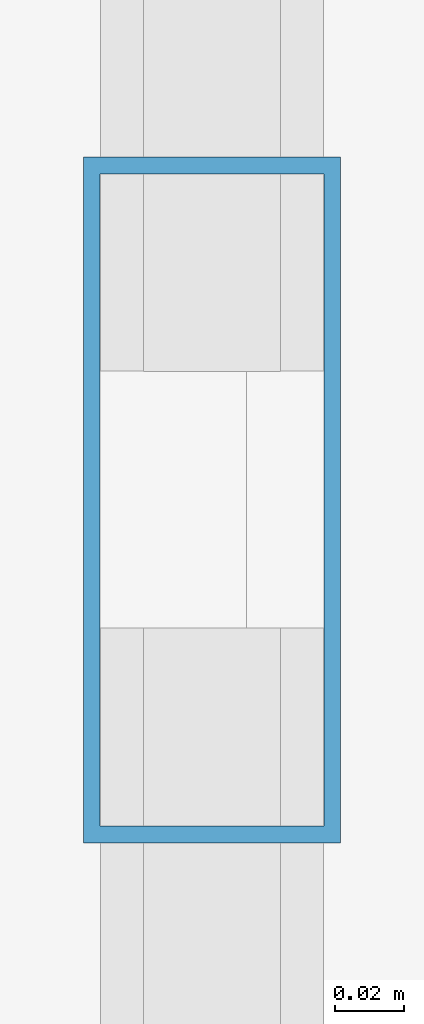
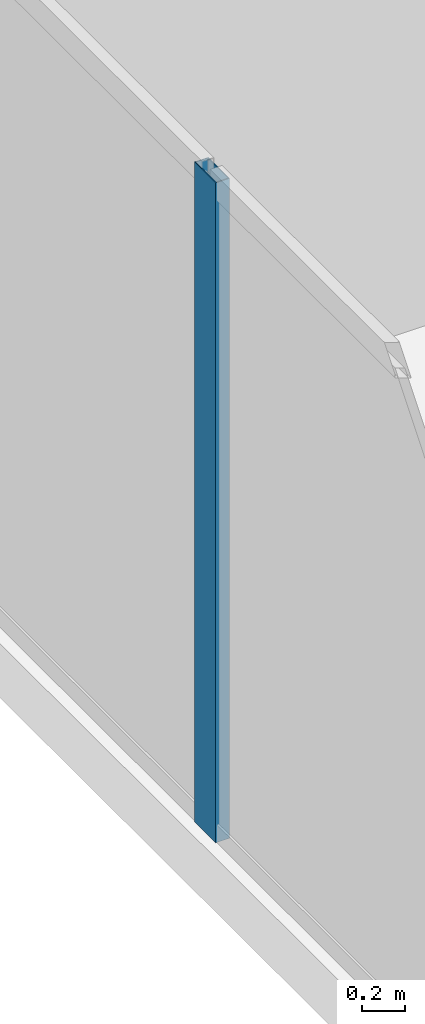
# One storey, part 8 of 33: 1 member, 1 element without a shape of its own.
"""IFC4 building model written with IfcOpenShell, lengths in metres."""

from ifc_helpers import new_model, si_unit, direction, frame, origin, origin_2d, place, context, subcontext, project, spatial, hollow_rectangle, extrude, source, transform, mapped, material, layer, layer_set, material_profile, profile_set, type_object, type_shapes, element, aggregate, save


model = new_model("IFC4")

# Units and contexts
model_context = context("Model", 3, precision=1e-05, world=origin(), true_north=direction((0.0, 1.0)))
body_context = subcontext(model_context, "Body", "Model", "MODEL_VIEW")
ifc_project = project(units=[si_unit("LENGTHUNIT", "METRE"), si_unit("AREAUNIT", "SQUARE_METRE"), si_unit("VOLUMEUNIT", "CUBIC_METRE"), si_unit("PLANEANGLEUNIT", "RADIAN"), si_unit("MASSUNIT", "GRAM", prefix="KILO")], contexts=[model_context])

# Site, building, storey
site_placement = place(None, origin())
site = spatial("IfcSite", under=ifc_project, at=site_placement, CompositionType="ELEMENT")
building_placement = place(site_placement, origin())
building = spatial("IfcBuilding", under=site, at=building_placement, Name="Haelvirn Gate Laboratories", CompositionType="ELEMENT")
storey_placement = place(building_placement, frame((0.0, 0.0, 166.60009765625)))
storey = spatial("IfcBuildingStorey", under=building, at=storey_placement, Name="L40", CompositionType="ELEMENT", Elevation=166.60009765625)

# Curtain wall, member
ifc_material_1 = material(Name="Anodised bronze unitised aluminium & triple low-E glass", Category="aluminium")
ifc_layer = layer(ifc_material_1, 0.179931640625, Name="CW-SYS-3")
ifc_layer_set = layer_set([ifc_layer], Name="Anodised bronze unitised aluminium & triple low-E glass")
curtain_wall_type = type_object("IfcCurtainWallType", Name="CW-SYS-3", PredefinedType="NOTDEFINED", material=ifc_layer_set)
curtain_wall_placement = place(storey_placement, origin())
curtain_wall = element("IfcCurtainWall", 1, at=curtain_wall_placement, inside=storey, type_object=curtain_wall_type, Name="L40 Unitised Curtain Wall CW-L40-P0-E17", PredefinedType="NOTDEFINED")
ifc_material_2 = material(Name="Extruded aluminium 6063-T6 (anodised bronze)", Category="aluminium")
ifc_material_profile = material_profile(ifc_material_2, hollow_rectangle(XDim=0.074951171875, YDim=0.199951171875, WallThickness=0.0048828125, at=origin_2d()), Name="CWM-200x75x5")
ifc_profile_set = profile_set([ifc_material_profile], Name="Extruded aluminium 6063-T6 (anodised bronze)")
member_type = type_object("IfcMemberType", Name="CWM-T200", PredefinedType="MULLION", material=ifc_profile_set)
shared_shape = source(origin(), body_context, "Body", "SweptSolid", [
    extrude(hollow_rectangle(XDim=0.074951171875, YDim=0.199951171875, WallThickness=0.0048828125, at=origin_2d()), origin(), (0.0, 0.0, 1.0), 3.789794921875),
])
type_shapes(member_type, [shared_shape])
member_placement = place(storey_placement, frame((2.10009765625, 30.966552734375, 0.0), z_axis=(0.0, 0.0, 1.0), x_axis=(1.0, 0.0, 0.0)))
member = element("IfcMember", 2, at=member_placement, type_object=member_type, Name="CW3 mullion 2", PredefinedType="MULLION", context=body_context, shape_type="MappedRepresentation", body=[
    mapped(shared_shape, transform((0.0, 0.0, 0.0), scale=1.0)),
])
aggregate(curtain_wall, [member])

save(model, "model.ifc")
